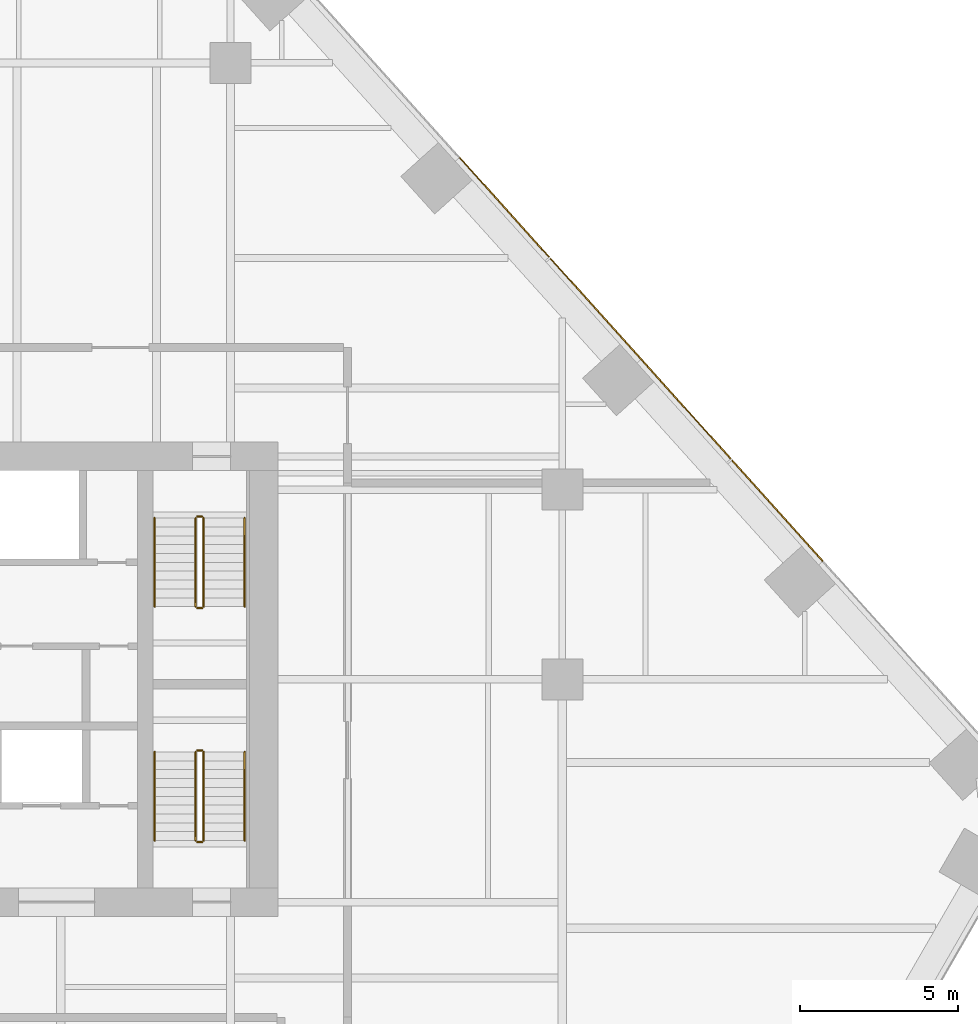
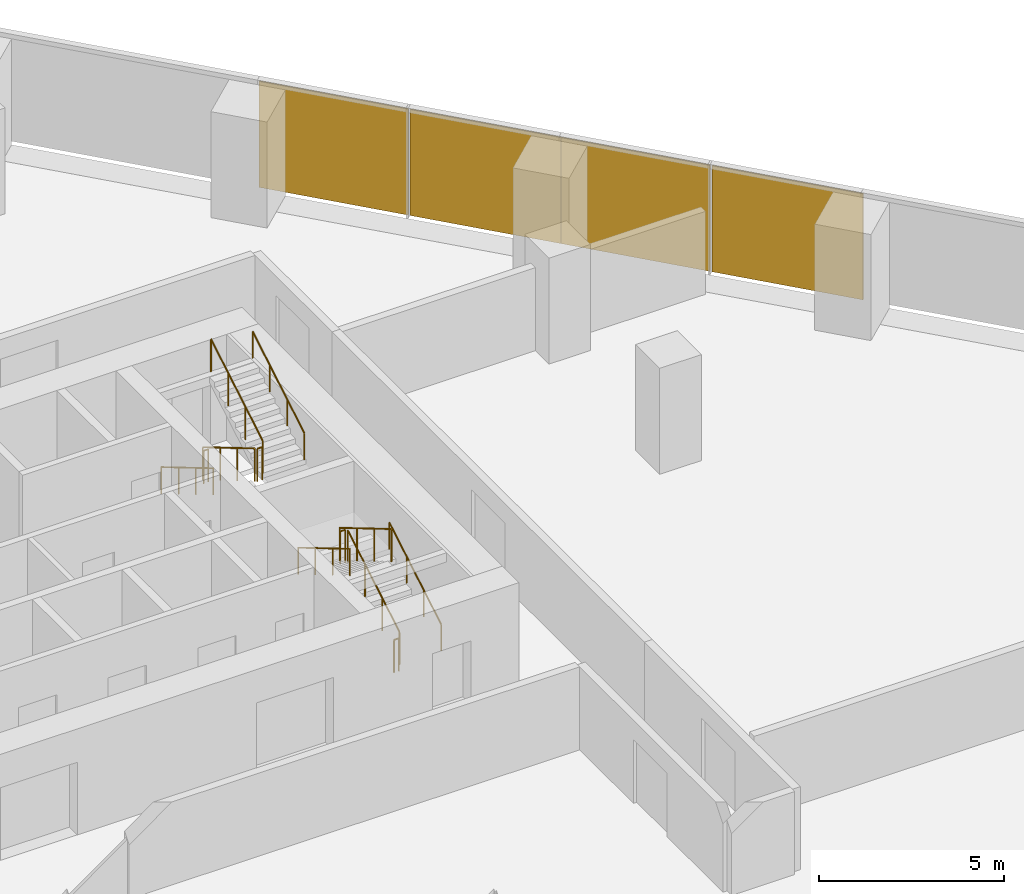
# One storey, part 19 of 19: 12 railings, 4 coverings, 1 element without a shape of its own.
"""IFC4 building model written with IfcOpenShell, lengths in metres."""

from ifc_helpers import new_model, si_unit, direction, frame, origin, origin_2d, place, context, subcontext, project, spatial, rectangle, circle, extrude, material, layer, layer_set, type_object, element, aggregate, save


model = new_model("IFC4")

# Units and contexts
model_context = context("Model", 3, precision=1e-05, world=origin(), true_north=direction((0.0, 1.0)))
body_context = subcontext(model_context, "Body", "Model", "MODEL_VIEW")
ifc_project = project(units=[si_unit("LENGTHUNIT", "METRE"), si_unit("AREAUNIT", "SQUARE_METRE"), si_unit("VOLUMEUNIT", "CUBIC_METRE"), si_unit("PLANEANGLEUNIT", "RADIAN"), si_unit("MASSUNIT", "GRAM", prefix="KILO")], contexts=[model_context])

# Site, building, storey
site_placement = place(None, origin())
site = spatial("IfcSite", under=ifc_project, at=site_placement, CompositionType="ELEMENT")
building_placement = place(site_placement, origin())
building = spatial("IfcBuilding", under=site, at=building_placement, Name="Isthmus Gate Tower", CompositionType="ELEMENT")
storey_placement = place(building_placement, frame((0.0, 0.0, 91.60009765625)))
storey = spatial("IfcBuildingStorey", under=building, at=storey_placement, Name="L21", CompositionType="ELEMENT", Elevation=91.60009765625)

# Curtain wall, coverings
ifc_material_1 = material(Name="Aluminium, pale champagne anodised", Category="aluminium")
ifc_layer_1 = layer(ifc_material_1, 0.199951171875)
ifc_layer_set_1 = layer_set([ifc_layer_1], Name="CW-1 UNITISED CURTAIN WALL 200 DEEP")
curtain_wall_type = type_object("IfcCurtainWallType", Name="CW-1 UNITISED CURTAIN WALL 200 DEEP", PredefinedType="NOTDEFINED", material=ifc_layer_set_1)
curtain_wall_placement = place(storey_placement, origin())
curtain_wall = element("IfcCurtainWall", 1, at=curtain_wall_placement, inside=storey, type_object=curtain_wall_type, Name="CW-1 NE L21", PredefinedType="NOTDEFINED")
ifc_material_2 = material(Name="Aluminium composite panel, pale champagne anodised", Category="aluminium")
ifc_layer_2 = layer(ifc_material_2, 0.0400390625)
ifc_layer_set_2 = layer_set([ifc_layer_2], Name="CW-1 PALE METAL PANEL 40")
covering_type = type_object("IfcCoveringType", Name="CW-1 PALE METAL PANEL 40", PredefinedType="CLADDING", material=ifc_layer_set_2)
covering_1_placement = place(storey_placement, frame((30.80419921875, 12.835693359375, 0.0), z_axis=(0.0, 0.0, 1.0), x_axis=(-0.669130606359, 0.743144825477, 0.0)))
covering_1 = element("IfcCovering", 2, at=covering_1_placement, type_object=covering_type, Name="CW-1 pale metal panel", PredefinedType="CLADDING", context=body_context, shape_type="SweptSolid", body=[
    extrude(rectangle(XDim=4.294677734375, YDim=0.0400390625, at=origin_2d()), origin(), (0.0, 0.0, 1.0), 3.5),
])
covering_2_placement = place(storey_placement, frame((27.910400390625, 16.049560546875, 0.0), z_axis=(0.0, 0.0, 1.0), x_axis=(-0.669130606359, 0.743144825477, 0.0)))
covering_2 = element("IfcCovering", 3, at=covering_2_placement, type_object=covering_type, Name="CW-1 pale metal panel", PredefinedType="CLADDING", context=body_context, shape_type="SweptSolid", body=[
    extrude(rectangle(XDim=4.234619140625, YDim=0.0400390625, at=origin_2d()), origin(), (0.0, 0.0, 1.0), 3.5),
])
covering_3_placement = place(storey_placement, frame((25.056884765625, 19.21875, 0.0), z_axis=(0.0, 0.0, 1.0), x_axis=(-0.669130606359, 0.743144825477, 0.0)))
covering_3 = element("IfcCovering", 4, at=covering_3_placement, type_object=covering_type, Name="CW-1 pale metal panel", PredefinedType="CLADDING", context=body_context, shape_type="SweptSolid", body=[
    extrude(rectangle(XDim=4.294677734375, YDim=0.0400390625, at=origin_2d()), origin(), (0.0, 0.0, 1.0), 3.5),
])
covering_4_placement = place(storey_placement, frame((22.1630859375, 22.4326171875, 0.0), z_axis=(0.0, 0.0, 1.0), x_axis=(-0.669130606359, 0.743144825477, 0.0)))
covering_4 = element("IfcCovering", 5, at=covering_4_placement, type_object=covering_type, Name="CW-1 pale metal panel", PredefinedType="CLADDING", context=body_context, shape_type="SweptSolid", body=[
    extrude(rectangle(XDim=4.234619140625, YDim=0.0400390625, at=origin_2d()), origin(), (0.0, 0.0, 1.0), 3.5),
])
aggregate(curtain_wall, [covering_1, covering_2, covering_3, covering_4])

# Railings
ifc_material_3 = material(Name="Stainless steel balustrade", Category="steel")
railing_type_1 = type_object("IfcRailingType", Name="STAIR GUARD 1100", PredefinedType="GUARDRAIL", material=ifc_material_3)
railing_1_placement = place(storey_placement, frame((12.39990234375, 12.60009765625, 0.165771484375)))
element("IfcRailing", 6, at=railing_1_placement, inside=storey, type_object=railing_type_1, Name="L21 ST2 stair guard 1", PredefinedType="GUARDRAIL", context=body_context, shape_type="SweptSolid", body=[
    extrude(circle(Radius=0.02392578125, at=origin_2d()), frame((0.0, 0.0, 1.076171875), z_axis=(0.0, -0.860306154799, 0.50977771628), x_axis=(1.0, 0.0, 0.0)), (0.0, 0.0, 1.0), 3.254638671875),
    extrude(circle(Radius=0.02099609375, at=origin_2d()), origin(), (0.0, 0.0, 1.0), 1.052001953125),
    extrude(circle(Radius=0.02099609375, at=origin_2d()), frame((0.0, -0.933349609375, 0.552978515625)), (0.0, 0.0, 1.0), 1.052001953125),
    extrude(circle(Radius=0.02099609375, at=origin_2d()), frame((0.0, -1.86669921875, 1.106201171875)), (0.0, 0.0, 1.0), 1.052001953125),
    extrude(circle(Radius=0.02099609375, at=origin_2d()), frame((0.0, -2.800048828125, 1.6591796875)), (0.0, 0.0, 1.0), 1.052001953125),
])
railing_2_placement = place(storey_placement, frame((12.449951171875, 9.75, 1.824951171875)))
element("IfcRailing", 7, at=railing_2_placement, inside=storey, type_object=railing_type_1, Name="L21 ST2 stair guard 2", PredefinedType="GUARDRAIL", context=body_context, shape_type="SweptSolid", body=[
    extrude(circle(Radius=0.02392578125, at=origin_2d()), frame((0.0, 0.0, 1.076171875), z_axis=(1.0, 0.0, 0.0), x_axis=(0.0, 1.0, 0.0)), (0.0, 0.0, 1.0), 0.150146484375),
    extrude(circle(Radius=0.02099609375, at=origin_2d()), origin(), (0.0, 0.0, 1.0), 1.052001953125),
    extrude(circle(Radius=0.02099609375, at=origin_2d()), frame((0.150146484375, 0.0, 0.0)), (0.0, 0.0, 1.0), 1.052001953125),
])
railing_3_placement = place(storey_placement, frame((12.64990234375, 9.800048828125, 1.99072265625)))
element("IfcRailing", 8, at=railing_3_placement, inside=storey, type_object=railing_type_1, Name="L21 ST2 stair guard 3", PredefinedType="GUARDRAIL", context=body_context, shape_type="SweptSolid", body=[
    extrude(circle(Radius=0.02392578125, at=origin_2d()), frame((0.0, 0.0, 1.076171875), z_axis=(0.0, 0.860306154799, 0.50977771628), x_axis=(-1.0, 0.0, 0.0)), (0.0, 0.0, 1.0), 3.254638671875),
    extrude(circle(Radius=0.02099609375, at=origin_2d()), origin(), (0.0, 0.0, 1.0), 1.052001953125),
    extrude(circle(Radius=0.02099609375, at=origin_2d()), frame((0.0, 0.933349609375, 0.552978515625)), (0.0, 0.0, 1.0), 1.052001953125),
    extrude(circle(Radius=0.02099609375, at=origin_2d()), frame((0.0, 1.86669921875, 1.106201171875)), (0.0, 0.0, 1.0), 1.052001953125),
    extrude(circle(Radius=0.02099609375, at=origin_2d()), frame((0.0, 2.800048828125, 1.6591796875)), (0.0, 0.0, 1.0), 1.052001953125),
])
railing_4_placement = place(storey_placement, frame((12.449951171875, 12.64990234375, 0.0)))
element("IfcRailing", 9, at=railing_4_placement, inside=storey, type_object=railing_type_1, Name="L21 ST2 stair guard 4", PredefinedType="GUARDRAIL", context=body_context, shape_type="SweptSolid", body=[
    extrude(circle(Radius=0.02392578125, at=origin_2d()), frame((0.0, 0.0, 1.076171875), z_axis=(1.0, 0.0, 0.0), x_axis=(0.0, 1.0, 0.0)), (0.0, 0.0, 1.0), 0.150146484375),
    extrude(circle(Radius=0.02099609375, at=origin_2d()), origin(), (0.0, 0.0, 1.0), 1.052001953125),
    extrude(circle(Radius=0.02099609375, at=origin_2d()), frame((0.150146484375, 0.0, 0.0)), (0.0, 0.0, 1.0), 1.052001953125),
])
railing_5_placement = place(storey_placement, frame((12.64990234375, 2.39990234375, 0.165771484375)))
element("IfcRailing", 10, at=railing_5_placement, inside=storey, type_object=railing_type_1, Name="L21 ST8 stair guard 1", PredefinedType="GUARDRAIL", context=body_context, shape_type="SweptSolid", body=[
    extrude(circle(Radius=0.02392578125, at=origin_2d()), frame((0.0, 0.0, 1.076171875), z_axis=(0.0, 0.860306154799, 0.50977771628), x_axis=(-1.0, 0.0, 0.0)), (0.0, 0.0, 1.0), 3.254638671875),
    extrude(circle(Radius=0.02099609375, at=origin_2d()), origin(), (0.0, 0.0, 1.0), 1.052001953125),
    extrude(circle(Radius=0.02099609375, at=origin_2d()), frame((0.0, 0.933349609375, 0.552978515625)), (0.0, 0.0, 1.0), 1.052001953125),
    extrude(circle(Radius=0.02099609375, at=origin_2d()), frame((0.0, 1.86669921875, 1.106201171875)), (0.0, 0.0, 1.0), 1.052001953125),
    extrude(circle(Radius=0.02099609375, at=origin_2d()), frame((0.0, 2.800048828125, 1.6591796875)), (0.0, 0.0, 1.0), 1.052001953125),
])
railing_6_placement = place(storey_placement, frame((12.60009765625, 5.25, 1.824951171875)))
element("IfcRailing", 11, at=railing_6_placement, inside=storey, type_object=railing_type_1, Name="L21 ST8 stair guard 2", PredefinedType="GUARDRAIL", context=body_context, shape_type="SweptSolid", body=[
    extrude(circle(Radius=0.02392578125, at=origin_2d()), frame((0.0, 0.0, 1.076171875), z_axis=(-1.0, 0.0, 0.0), x_axis=(0.0, -1.0, 0.0)), (0.0, 0.0, 1.0), 0.150146484375),
    extrude(circle(Radius=0.02099609375, at=origin_2d()), origin(), (0.0, 0.0, 1.0), 1.052001953125),
    extrude(circle(Radius=0.02099609375, at=origin_2d()), frame((-0.150146484375, 0.0, 0.0)), (0.0, 0.0, 1.0), 1.052001953125),
])
railing_7_placement = place(storey_placement, frame((12.39990234375, 5.199951171875, 1.99072265625)))
element("IfcRailing", 12, at=railing_7_placement, inside=storey, type_object=railing_type_1, Name="L21 ST8 stair guard 3", PredefinedType="GUARDRAIL", context=body_context, shape_type="SweptSolid", body=[
    extrude(circle(Radius=0.02392578125, at=origin_2d()), frame((0.0, 0.0, 1.076171875), z_axis=(0.0, -0.860306154799, 0.50977771628), x_axis=(1.0, 0.0, 0.0)), (0.0, 0.0, 1.0), 3.254638671875),
    extrude(circle(Radius=0.02099609375, at=origin_2d()), origin(), (0.0, 0.0, 1.0), 1.052001953125),
    extrude(circle(Radius=0.02099609375, at=origin_2d()), frame((0.0, -0.933349609375, 0.552978515625)), (0.0, 0.0, 1.0), 1.052001953125),
    extrude(circle(Radius=0.02099609375, at=origin_2d()), frame((0.0, -1.86669921875, 1.106201171875)), (0.0, 0.0, 1.0), 1.052001953125),
    extrude(circle(Radius=0.02099609375, at=origin_2d()), frame((0.0, -2.800048828125, 1.6591796875)), (0.0, 0.0, 1.0), 1.052001953125),
])
railing_8_placement = place(storey_placement, frame((12.60009765625, 2.35009765625, 0.0)))
element("IfcRailing", 13, at=railing_8_placement, inside=storey, type_object=railing_type_1, Name="L21 ST8 stair guard 4", PredefinedType="GUARDRAIL", context=body_context, shape_type="SweptSolid", body=[
    extrude(circle(Radius=0.02392578125, at=origin_2d()), frame((0.0, 0.0, 1.076171875), z_axis=(-1.0, 0.0, 0.0), x_axis=(0.0, -1.0, 0.0)), (0.0, 0.0, 1.0), 0.150146484375),
    extrude(circle(Radius=0.02099609375, at=origin_2d()), origin(), (0.0, 0.0, 1.0), 1.052001953125),
    extrude(circle(Radius=0.02099609375, at=origin_2d()), frame((-0.150146484375, 0.0, 0.0)), (0.0, 0.0, 1.0), 1.052001953125),
])
ifc_material_4 = material(Name="Stainless steel handrail", Category="steel")
railing_type_2 = type_object("IfcRailingType", Name="STAIR HANDRAIL 900", PredefinedType="HANDRAIL", material=ifc_material_4)
railing_9_placement = place(storey_placement, frame((11.10009765625, 12.60009765625, 0.165771484375)))
element("IfcRailing", 14, at=railing_9_placement, inside=storey, type_object=railing_type_2, Name="L21 ST2 stair handrail 1", PredefinedType="HANDRAIL", context=body_context, shape_type="SweptSolid", body=[
    extrude(circle(Radius=0.02392578125, at=origin_2d()), frame((0.0, 0.0, 0.8759765625), z_axis=(0.0, -0.860306154799, 0.50977771628), x_axis=(1.0, 0.0, 0.0)), (0.0, 0.0, 1.0), 3.254638671875),
    extrude(circle(Radius=0.02099609375, at=origin_2d()), origin(), (0.0, 0.0, 1.0), 0.851806640625),
    extrude(circle(Radius=0.02099609375, at=origin_2d()), frame((0.0, -0.933349609375, 0.552978515625)), (0.0, 0.0, 1.0), 0.851806640625),
    extrude(circle(Radius=0.02099609375, at=origin_2d()), frame((0.0, -1.86669921875, 1.106201171875)), (0.0, 0.0, 1.0), 0.851806640625),
    extrude(circle(Radius=0.02099609375, at=origin_2d()), frame((0.0, -2.800048828125, 1.6591796875)), (0.0, 0.0, 1.0), 0.851806640625),
])
for number, where, name in (
    (15, (13.949951171875, 9.800048828125, 1.99072265625), "L21 ST2 stair handrail 2"),
    (16, (13.949951171875, 2.39990234375, 0.165771484375), "L21 ST8 stair handrail 1"),
):
    element("IfcRailing", number, at=place(storey_placement, frame(where)), inside=storey, type_object=railing_type_2, Name=name, PredefinedType="HANDRAIL", context=body_context, shape_type="SweptSolid", body=[
        extrude(circle(Radius=0.02392578125, at=origin_2d()), frame((0.0, 0.0, 0.8759765625), z_axis=(0.0, 0.860306154799, 0.50977771628), x_axis=(-1.0, 0.0, 0.0)), (0.0, 0.0, 1.0), 3.254638671875),
        extrude(circle(Radius=0.02099609375, at=origin_2d()), origin(), (0.0, 0.0, 1.0), 0.851806640625),
        extrude(circle(Radius=0.02099609375, at=origin_2d()), frame((0.0, 0.933349609375, 0.552978515625)), (0.0, 0.0, 1.0), 0.851806640625),
        extrude(circle(Radius=0.02099609375, at=origin_2d()), frame((0.0, 1.86669921875, 1.106201171875)), (0.0, 0.0, 1.0), 0.851806640625),
        extrude(circle(Radius=0.02099609375, at=origin_2d()), frame((0.0, 2.800048828125, 1.6591796875)), (0.0, 0.0, 1.0), 0.851806640625),
    ])
railing_10_placement = place(storey_placement, frame((11.10009765625, 5.199951171875, 1.99072265625)))
element("IfcRailing", 17, at=railing_10_placement, inside=storey, type_object=railing_type_2, Name="L21 ST8 stair handrail 2", PredefinedType="HANDRAIL", context=body_context, shape_type="SweptSolid", body=[
    extrude(circle(Radius=0.02392578125, at=origin_2d()), frame((0.0, 0.0, 0.8759765625), z_axis=(0.0, -0.860306154799, 0.50977771628), x_axis=(1.0, 0.0, 0.0)), (0.0, 0.0, 1.0), 3.254638671875),
    extrude(circle(Radius=0.02099609375, at=origin_2d()), origin(), (0.0, 0.0, 1.0), 0.851806640625),
    extrude(circle(Radius=0.02099609375, at=origin_2d()), frame((0.0, -0.933349609375, 0.552978515625)), (0.0, 0.0, 1.0), 0.851806640625),
    extrude(circle(Radius=0.02099609375, at=origin_2d()), frame((0.0, -1.86669921875, 1.106201171875)), (0.0, 0.0, 1.0), 0.851806640625),
    extrude(circle(Radius=0.02099609375, at=origin_2d()), frame((0.0, -2.800048828125, 1.6591796875)), (0.0, 0.0, 1.0), 0.851806640625),
])

save(model, "model.ifc")
